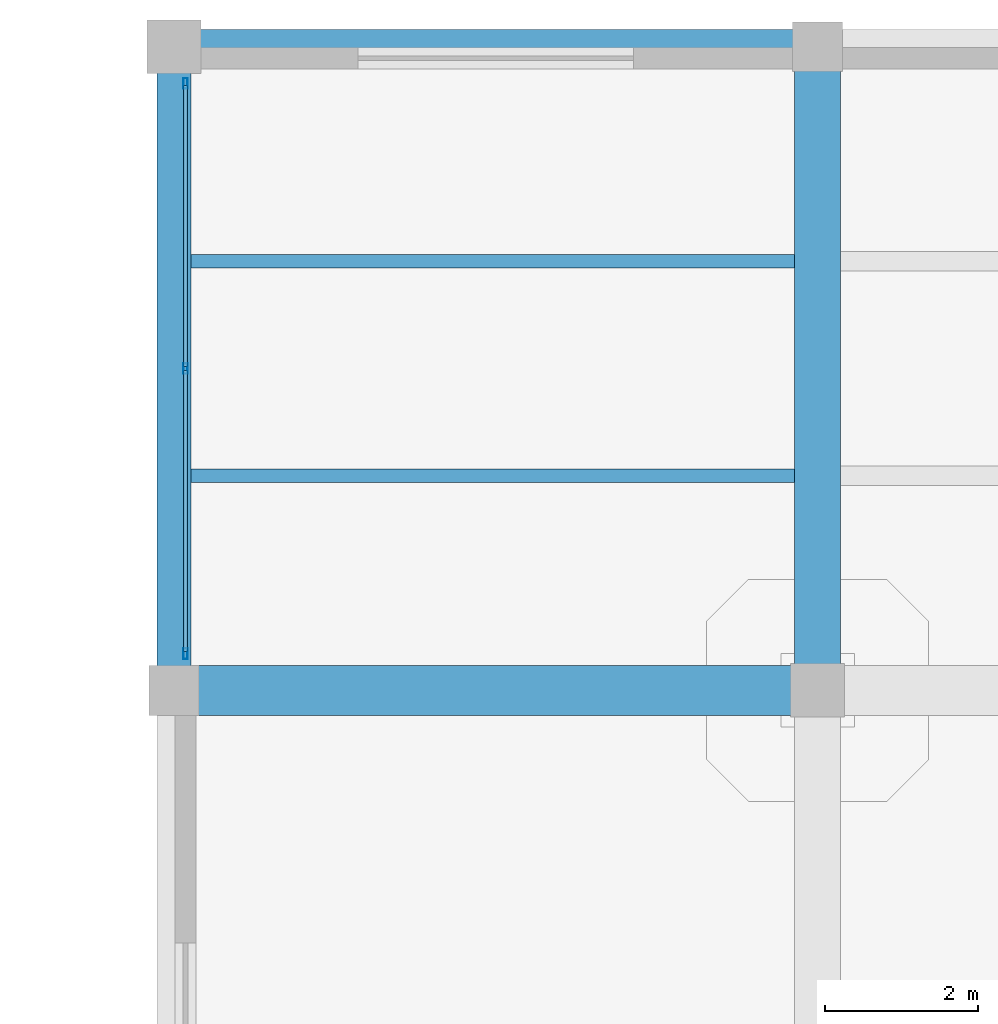
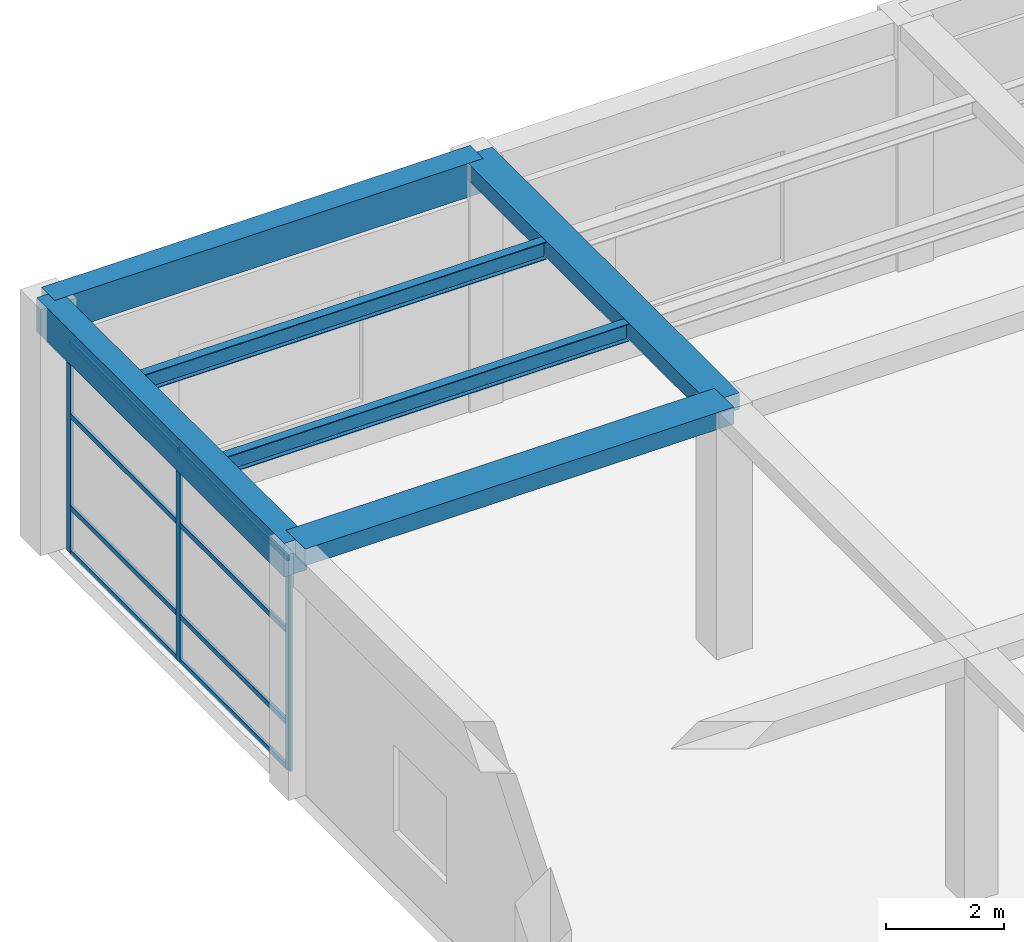
# One storey, part 23 of 65: 11 members, 6 beams, 1 element without a shape of its own.
"""IFC4 building model written with IfcOpenShell, lengths in metres."""

import ifcopenshell
import ifcopenshell.guid

model = None  # the IFC model being written
_history = None  # IfcOwnerHistory: only IFC2X3 demands one
_inside = {}  # id of a spatial element -> (the spatial element, [elements in it])
_under = {}  # id of a project, library or spatial element -> (it, [spatial elements below it])
_declared = {}  # id of a project -> (the project, [libraries it declares])
_typed = {}  # id of a type object -> (the type object, [elements of that type])
_made_of = {}  # id of a material, layer set ... -> (it, [elements and type objects made of it])


def new_model(schema):
    """Start an empty IFC model of exactly this schema.

    Asked for "IFC4X3", IfcOpenShell would pick the latest addendum, in which some entities
    have other attributes; the version numbers below select the first issue.
    IFC2X3 requires an IfcOwnerHistory on every rooted entity: one is made here for all.
    """
    global model, _history
    if schema == "IFC4X3":
        model = ifcopenshell.file(schema_version=(4, 3, 0, 0))
    else:
        model = ifcopenshell.file(schema=schema)
    _inside.clear()
    _under.clear()
    _declared.clear()
    _typed.clear()
    _made_of.clear()
    _history = None
    if model.schema == "IFC2X3":
        org = make("IfcOrganization", Name="unknown")
        user = make(
            "IfcPersonAndOrganization",
            ThePerson=make("IfcPerson", FamilyName="unknown"),
            TheOrganization=org,
        )
        app = make(
            "IfcApplication",
            ApplicationDeveloper=org,
            Version="unknown",
            ApplicationFullName="unknown",
            ApplicationIdentifier="unknown",
        )
        _history = make(
            "IfcOwnerHistory",
            OwningUser=user,
            OwningApplication=app,
            ChangeAction="ADDED",
            CreationDate=0,
        )
    return model


def make(cls, **values):
    """One entity of the class cls with the attributes given. An attribute that is None is left unset."""
    return model.create_entity(
        cls, **{name: value for name, value in values.items() if value is not None}
    )


def rooted(cls, **values):
    """An entity with a GlobalId (a new one), such as an element, a storey or a relation."""
    return make(cls, GlobalId=ifcopenshell.guid.new(), OwnerHistory=_history, **values)


def si_unit(unit_type, name, prefix=None):
    """IfcSIUnit, for example si_unit("LENGTHUNIT", "METRE", prefix="MILLI")."""
    return make("IfcSIUnit", UnitType=unit_type, Prefix=prefix, Name=name)


def assignment(units):
    """IfcUnitAssignment: the units of a project."""
    return None if units is None else make("IfcUnitAssignment", Units=units)


def point(xyz):
    """IfcCartesianPoint."""
    return None if xyz is None else make("IfcCartesianPoint", Coordinates=xyz)


def direction(xyz):
    """IfcDirection."""
    return None if xyz is None else make("IfcDirection", DirectionRatios=xyz)


def frame(location, z_axis=None, x_axis=None):
    """IfcAxis2Placement3D, a coordinate frame: its origin and axes. An axis left out is left unset."""
    return make(
        "IfcAxis2Placement3D",
        Location=point(location),
        Axis=direction(z_axis),
        RefDirection=direction(x_axis),
    )


def frame_2d(location, x_axis=None):
    """IfcAxis2Placement2D, a coordinate frame in the plane: its origin and x axis."""
    return make(
        "IfcAxis2Placement2D", Location=point(location), RefDirection=direction(x_axis)
    )


def origin():
    """The frame at (0, 0, 0) with its axes left unset."""
    return frame((0.0, 0.0, 0.0))


def origin_2d():
    """The frame at (0, 0) in the plane with its x axis left unset."""
    return frame_2d((0.0, 0.0))


def place(relative_to, where):
    """IfcLocalPlacement: puts the frame where relative to a parent placement (None: the world)."""
    return make(
        "IfcLocalPlacement", PlacementRelTo=relative_to, RelativePlacement=where
    )


def context(
    kind, dimensions, precision=None, world=None, true_north=None, identifier=None
):
    """IfcGeometricRepresentationContext, for example the 3D "Model" context."""
    return make(
        "IfcGeometricRepresentationContext",
        ContextIdentifier=identifier,
        ContextType=kind,
        CoordinateSpaceDimension=dimensions,
        Precision=precision,
        WorldCoordinateSystem=world,
        TrueNorth=true_north,
    )


def subcontext(parent, identifier, kind, view, scale=None):
    """IfcGeometricRepresentationSubContext, for example "Body" below "Model"."""
    return make(
        "IfcGeometricRepresentationSubContext",
        ContextIdentifier=identifier,
        ContextType=kind,
        ParentContext=parent,
        TargetScale=scale,
        TargetView=view,
    )


def project(units=None, contexts=None):
    """IfcProject with its units and contexts."""
    return rooted(
        "IfcProject",
        Name="project",
        RepresentationContexts=contexts,
        UnitsInContext=assignment(units),
    )


def spatial(cls, under=None, at=None, **own):
    """A site, building, storey or space (cls), placed at a placement, below another one or the project."""
    s = rooted(cls, ObjectPlacement=at, **own)
    if under is not None:
        _under.setdefault(under.id(), (under, []))[1].append(s)
    return s


def profile(cls, at=None, kind="AREA", **sizes):
    """A parametric profile (cls). Its sizes go by their IFC names, for example OverallWidth=200.0."""
    return make(cls, ProfileType=kind, Position=at, **sizes)


def rectangle(**sizes):
    """IfcRectangleProfileDef."""
    return profile("IfcRectangleProfileDef", **sizes)


def hollow_rectangle(**sizes):
    """IfcRectangleHollowProfileDef."""
    return profile("IfcRectangleHollowProfileDef", **sizes)


def i_section(**sizes):
    """IfcIShapeProfileDef."""
    return profile("IfcIShapeProfileDef", **sizes)


def extrude(swept, where, along, depth):
    """IfcExtrudedAreaSolid: the profile swept, set in the frame where, extruded along a direction by depth."""
    return make(
        "IfcExtrudedAreaSolid",
        SweptArea=swept,
        Position=where,
        ExtrudedDirection=direction(along),
        Depth=depth,
    )


def shape(context_of_items, identifier, shape_type, items):
    """IfcShapeRepresentation: the items that make up one representation, for example the "Body"."""
    return make(
        "IfcShapeRepresentation",
        ContextOfItems=context_of_items,
        RepresentationIdentifier=identifier,
        RepresentationType=shape_type,
        Items=items,
    )


def material(Name=None, Category=None):
    """IfcMaterial."""
    return make("IfcMaterial", Name=Name, Category=Category)


def material_profile(
    of_material, cross_section, Name=None, Category=None, Priority=None
):
    """IfcMaterialProfile: a cross section and its material."""
    return make(
        "IfcMaterialProfile",
        Name=Name,
        Material=of_material,
        Profile=cross_section,
        Priority=Priority,
        Category=Category,
    )


def profile_set(profiles, Name=None, composite=None):
    """IfcMaterialProfileSet."""
    return make(
        "IfcMaterialProfileSet",
        Name=Name,
        MaterialProfiles=profiles,
        CompositeProfile=composite,
    )


def made_of(thing, what):
    """Note that an element or type object is made of a material, layer set ...; save() writes the relation."""
    if what is not None:
        _made_of.setdefault(what.id(), (what, []))[1].append(thing)
    return thing


def type_object(cls, material=None, **own):
    """A type object (cls), such as IfcWallType, which elements share."""
    return made_of(rooted(cls, **own), material)


def element(
    cls,
    number,
    at=None,
    inside=None,
    cuts=None,
    type_object=None,
    material=None,
    context=None,
    identifier="Body",
    shape_type=None,
    held_by="IfcProductDefinitionShape",
    body=None,
    shapes=None,
    **own,
):
    """One element of the class cls, such as IfcWall. Its Tag is "e" and its number.

    at: its placement. inside: the storey or other place that contains it. cuts: it is an
    opening in that element (IfcRelVoidsElement). A single representation is given by context,
    identifier, shape_type and body (its items); several are given by shapes. held_by: the class
    of the entity that holds the representations. save() writes the other relations.
    """
    e = rooted(cls, Tag="e%d" % number, ObjectPlacement=at, **own)
    if body is not None:
        shapes = [shape(context, identifier, shape_type, body)]
    if shapes is not None:
        e.Representation = make(held_by, Representations=shapes)
    if inside is not None:
        _inside.setdefault(inside.id(), (inside, []))[1].append(e)
    if cuts is not None:
        rooted(
            "IfcRelVoidsElement", RelatingBuildingElement=cuts, RelatedOpeningElement=e
        )
    if type_object is not None:
        _typed.setdefault(type_object.id(), (type_object, []))[1].append(e)
    return made_of(e, material)


def aggregate(whole, parts):
    """IfcRelAggregates: a whole, such as a stair, and the parts it consists of."""
    return rooted("IfcRelAggregates", RelatingObject=whole, RelatedObjects=parts)


def save(model, path):
    """Write the relations noted so far, then the file.

    IfcRelAggregates (storeys below a building ...), IfcRelContainedInSpatialStructure (elements
    in a storey), IfcRelDefinesByType, IfcRelAssociatesMaterial and IfcRelDeclares: one each for
    every whole, place, type object, material and project.
    """
    for whole, parts in _under.values():
        aggregate(whole, parts)
    for where, things in _inside.values():
        rooted(
            "IfcRelContainedInSpatialStructure",
            RelatedElements=things,
            RelatingStructure=where,
        )
    for kind, things in _typed.values():
        rooted("IfcRelDefinesByType", RelatedObjects=things, RelatingType=kind)
    for what, things in _made_of.values():
        rooted("IfcRelAssociatesMaterial", RelatedObjects=things, RelatingMaterial=what)
    for by, libraries in _declared.values():
        rooted("IfcRelDeclares", RelatingContext=by, RelatedDefinitions=libraries)
    model.write(path)


model = new_model("IFC4")

# Units and contexts
model_context = context("Model", 3, precision=1e-05, world=origin(), true_north=direction((0.0, 1.0)))
body_context = subcontext(model_context, "Body", "Model", "MODEL_VIEW")
ifc_project = project(units=[si_unit("LENGTHUNIT", "METRE"), si_unit("AREAUNIT", "SQUARE_METRE"), si_unit("VOLUMEUNIT", "CUBIC_METRE"), si_unit("PLANEANGLEUNIT", "RADIAN"), si_unit("MASSUNIT", "GRAM", prefix="KILO")], contexts=[model_context])

# Site, building, storey
site_placement = place(None, origin())
site = spatial("IfcSite", under=ifc_project, at=site_placement, CompositionType="ELEMENT")
building_placement = place(site_placement, origin())
building = spatial("IfcBuilding", under=site, at=building_placement, Name="Almacenes y Pasaje Nevantli", CompositionType="ELEMENT")
storey_placement = place(building_placement, frame((0.0, 0.0, 16.800048828125)))
storey = spatial("IfcBuildingStorey", under=building, at=storey_placement, Name="L04", CompositionType="ELEMENT", Elevation=16.800048828125)

# Beams
ifc_material_1 = material(Name="Concrete C35/45", Category="concrete")
ifc_material_profile_1 = material_profile(ifc_material_1, rectangle(XDim=0.449951171875, YDim=0.699951171875, at=origin_2d()), Name="RC-BM-450x700")
ifc_profile_set_1 = profile_set([ifc_material_profile_1], Name="Concrete C35/45")
beam_type_1 = type_object("IfcBeamType", Name="BM-RC-450x700", PredefinedType="SPANDREL", material=ifc_profile_set_1)
beam_1_placement = place(storey_placement, frame((0.0, 117.60009765625, 4.75), z_axis=(1.0, 0.0, 0.0), x_axis=(0.0, 1.0, 0.0)))
element("IfcBeam", 1, at=beam_1_placement, inside=storey, type_object=beam_type_1, Name="L04 East-West Reinforced Concrete Beam #2973", PredefinedType="SPANDREL", context=body_context, shape_type="SweptSolid", body=[
    extrude(rectangle(XDim=0.449951171875, YDim=0.699951171875, at=origin_2d()), origin(), (0.0, 0.0, 1.0), 8.39990234375),
])
beam_2_placement = place(storey_placement, frame((0.0, 109.199951171875, 4.75), z_axis=(0.0, 1.0, 0.0), x_axis=(-1.0, 0.0, 0.0)))
element("IfcBeam", 2, at=beam_2_placement, inside=storey, type_object=beam_type_1, Name="L04 North-South Reinforced Concrete Beam #3003", PredefinedType="SPANDREL", context=body_context, shape_type="SweptSolid", body=[
    extrude(rectangle(XDim=0.449951171875, YDim=0.699951171875, at=origin_2d()), origin(), (0.0, 0.0, 1.0), 8.400146484375),
])
ifc_material_2 = material(Name="Concrete C35/45", Category="concrete")
ifc_material_profile_2 = material_profile(ifc_material_2, rectangle(XDim=0.60009765625, YDim=0.340087890625, at=origin_2d()), Name="RC-BM-600x340")
ifc_profile_set_2 = profile_set([ifc_material_profile_2], Name="Concrete C35/45")
beam_type_2 = type_object("IfcBeamType", Name="BM-RC-600x340", PredefinedType="BEAM", material=ifc_profile_set_2)
beam_3_placement = place(storey_placement, frame((8.39990234375, 109.199951171875, 4.929931640625), z_axis=(0.0, 1.0, 0.0), x_axis=(-1.0, 0.0, 0.0)))
element("IfcBeam", 3, at=beam_3_placement, inside=storey, type_object=beam_type_2, Name="L04 North-South Reinforced Concrete Beam #3014", PredefinedType="BEAM", context=body_context, shape_type="SweptSolid", body=[
    extrude(rectangle(XDim=0.60009765625, YDim=0.340087890625, at=origin_2d()), origin(), (0.0, 0.0, 1.0), 8.400146484375),
])
ifc_material_3 = material(Name="Concrete C35/45", Category="concrete")
ifc_material_profile_3 = material_profile(ifc_material_3, rectangle(XDim=0.64990234375, YDim=0.35009765625, at=origin_2d()), Name="RC-BM-650x350")
ifc_profile_set_3 = profile_set([ifc_material_profile_3], Name="Concrete C35/45")
beam_type_3 = type_object("IfcBeamType", Name="BM-RC-650x350", PredefinedType="BEAM", material=ifc_profile_set_3)
beam_4_placement = place(storey_placement, frame((0.0, 109.199951171875, 4.925048828125), z_axis=(1.0, 0.0, 0.0), x_axis=(0.0, 1.0, 0.0)))
element("IfcBeam", 4, at=beam_4_placement, inside=storey, type_object=beam_type_3, Name="L04 East-West Reinforced Concrete Beam #2956", PredefinedType="BEAM", context=body_context, shape_type="SweptSolid", body=[
    extrude(rectangle(XDim=0.64990234375, YDim=0.35009765625, at=origin_2d()), origin(), (0.0, 0.0, 1.0), 8.39990234375),
])
ifc_material_4 = material(Name="Steel ASTM A992", Category="steel")
ifc_material_profile_4 = material_profile(ifc_material_4, i_section(OverallWidth=0.173095703125, OverallDepth=0.364013671875, WebThickness=0.009033203125, FlangeThickness=0.015625, at=origin_2d()), Name="IR 356x67.0")
ifc_profile_set_4 = profile_set([ifc_material_profile_4], Name="Steel ASTM A992")
beam_type_4 = type_object("IfcBeamType", Name="BM-STL-IR-356x67p0", PredefinedType="JOIST", material=ifc_profile_set_4)
for number, where, z_axis, x_axis, name in (
    (5, (0.22509765625, 112.0, 4.909912109375), (1.0, 0.0, 0.0), (0.0, 1.0, 0.0), "L04 Secondary Steel Floor Joist #1015"),
    (6, (0.22509765625, 114.800048828125, 4.909912109375), (1.0, 0.0, 0.0), (0.0, 1.0, 0.0), "L04 Secondary Steel Floor Joist #1016"),
):
    element("IfcBeam", number, at=place(storey_placement, frame(where, z_axis=z_axis, x_axis=x_axis)), inside=storey, type_object=beam_type_4, Name=name, PredefinedType="JOIST", context=body_context, shape_type="SweptSolid", body=[
        extrude(i_section(OverallWidth=0.173095703125, OverallDepth=0.364013671875, WebThickness=0.009033203125, FlangeThickness=0.015625, at=origin_2d()), origin(), (0.0, 0.0, 1.0), 7.875),
    ])

# Curtain wall, members
ifc_material_5 = material(Name="Thermally Broken Aluminium and Low-E Glass", Category="aluminium")
curtain_wall_type = type_object("IfcCurtainWallType", Name="CW-UNIT-PODIUM", PredefinedType="USERDEFINED", material=ifc_material_5)
curtain_wall_placement = place(storey_placement, origin())
curtain_wall = element("IfcCurtainWall", 7, at=curtain_wall_placement, inside=storey, type_object=curtain_wall_type, Name="L04 West Avenue Unitized Curtain Wall Bay 14", ObjectType="UNITIZED CURTAIN WALL", PredefinedType="USERDEFINED")
ifc_material_6 = material(Name="Thermally Broken Anodized Aluminium", Category="aluminium")
ifc_material_profile_5 = material_profile(ifc_material_6, hollow_rectangle(XDim=0.054931640625, YDim=0.139892578125, WallThickness=0.00341796875, at=origin_2d()), Name="ALU-MUL-55x140")
ifc_profile_set_5 = profile_set([ifc_material_profile_5], Name="Thermally Broken Anodized Aluminium")
member_type_1 = type_object("IfcMemberType", Name="CW-MUL-160", PredefinedType="MULLION", material=ifc_profile_set_5)
member_1_placement = place(storey_placement, frame((0.14990234375, 109.677490234375, 0.0), z_axis=(0.0, 0.0, 1.0), x_axis=(-1.0, 0.0, 0.0)))
member_1 = element("IfcMember", 8, at=member_1_placement, type_object=member_type_1, Name="CW-L04-078 mullion 1", PredefinedType="MULLION", context=body_context, shape_type="SweptSolid", body=[
    extrude(hollow_rectangle(XDim=0.054931640625, YDim=0.139892578125, WallThickness=0.00341796875, at=origin_2d()), origin(), (0.0, 0.0, 1.0), 4.3798828125),
])
member_2_placement = place(storey_placement, frame((0.14990234375, 113.39990234375, 0.0), z_axis=(0.0, 0.0, 1.0), x_axis=(-1.0, 0.0, 0.0)))
member_2 = element("IfcMember", 9, at=member_2_placement, type_object=member_type_1, Name="CW-L04-078 mullion 2", PredefinedType="MULLION", context=body_context, shape_type="SweptSolid", body=[
    extrude(hollow_rectangle(XDim=0.054931640625, YDim=0.139892578125, WallThickness=0.00341796875, at=origin_2d()), origin(), (0.0, 0.0, 1.0), 4.3798828125),
])
member_3_placement = place(storey_placement, frame((0.14990234375, 117.12255859375, 0.0), z_axis=(0.0, 0.0, 1.0), x_axis=(-1.0, 0.0, 0.0)))
member_3 = element("IfcMember", 10, at=member_3_placement, type_object=member_type_1, Name="CW-L04-078 mullion 3", PredefinedType="MULLION", context=body_context, shape_type="SweptSolid", body=[
    extrude(hollow_rectangle(XDim=0.054931640625, YDim=0.139892578125, WallThickness=0.00341796875, at=origin_2d()), origin(), (0.0, 0.0, 1.0), 4.3798828125),
])
ifc_material_7 = material(Name="Thermally Broken Anodized Aluminium", Category="aluminium")
ifc_material_profile_6 = material_profile(ifc_material_7, hollow_rectangle(XDim=0.054931640625, YDim=0.10498046875, WallThickness=0.003173828125, at=origin_2d()), Name="ALU-TRN-55x105")
ifc_profile_set_6 = profile_set([ifc_material_profile_6], Name="Thermally Broken Anodized Aluminium")
member_type_2 = type_object("IfcMemberType", Name="CW-TRN-120", PredefinedType="USERDEFINED", material=ifc_profile_set_6)
member_4_placement = place(storey_placement, frame((0.14990234375, 109.705078125, 0.02734375), z_axis=(0.0, 1.0, 0.0), x_axis=(-1.0, 0.0, 0.0)))
member_4 = element("IfcMember", 11, at=member_4_placement, type_object=member_type_2, Name="CW-L04-078 transom 1.1", ObjectType="TRANSOM", PredefinedType="USERDEFINED", context=body_context, shape_type="SweptSolid", body=[
    extrude(hollow_rectangle(XDim=0.054931640625, YDim=0.10498046875, WallThickness=0.003173828125, at=origin_2d()), origin(), (0.0, 0.0, 1.0), 3.66748046875),
])
member_5_placement = place(storey_placement, frame((0.14990234375, 109.705078125, 0.949951171875), z_axis=(0.0, 1.0, 0.0), x_axis=(-1.0, 0.0, 0.0)))
member_5 = element("IfcMember", 12, at=member_5_placement, type_object=member_type_2, Name="CW-L04-078 transom 1.2", ObjectType="TRANSOM", PredefinedType="USERDEFINED", context=body_context, shape_type="SweptSolid", body=[
    extrude(hollow_rectangle(XDim=0.054931640625, YDim=0.10498046875, WallThickness=0.003173828125, at=origin_2d()), origin(), (0.0, 0.0, 1.0), 3.66748046875),
])
member_6_placement = place(storey_placement, frame((0.14990234375, 109.705078125, 2.849853515625), z_axis=(0.0, 1.0, 0.0), x_axis=(-1.0, 0.0, 0.0)))
member_6 = element("IfcMember", 13, at=member_6_placement, type_object=member_type_2, Name="CW-L04-078 transom 1.3", ObjectType="TRANSOM", PredefinedType="USERDEFINED", context=body_context, shape_type="SweptSolid", body=[
    extrude(hollow_rectangle(XDim=0.054931640625, YDim=0.10498046875, WallThickness=0.003173828125, at=origin_2d()), origin(), (0.0, 0.0, 1.0), 3.66748046875),
])
member_7_placement = place(storey_placement, frame((0.14990234375, 109.705078125, 4.3525390625), z_axis=(0.0, 1.0, 0.0), x_axis=(-1.0, 0.0, 0.0)))
member_7 = element("IfcMember", 14, at=member_7_placement, type_object=member_type_2, Name="CW-L04-078 transom 1.4", ObjectType="TRANSOM", PredefinedType="USERDEFINED", context=body_context, shape_type="SweptSolid", body=[
    extrude(hollow_rectangle(XDim=0.054931640625, YDim=0.10498046875, WallThickness=0.003173828125, at=origin_2d()), origin(), (0.0, 0.0, 1.0), 3.66748046875),
])
member_8_placement = place(storey_placement, frame((0.14990234375, 113.427490234375, 0.02734375), z_axis=(0.0, 1.0, 0.0), x_axis=(-1.0, 0.0, 0.0)))
member_8 = element("IfcMember", 15, at=member_8_placement, type_object=member_type_2, Name="CW-L04-078 transom 2.1", ObjectType="TRANSOM", PredefinedType="USERDEFINED", context=body_context, shape_type="SweptSolid", body=[
    extrude(hollow_rectangle(XDim=0.054931640625, YDim=0.10498046875, WallThickness=0.003173828125, at=origin_2d()), origin(), (0.0, 0.0, 1.0), 3.66748046875),
])
member_9_placement = place(storey_placement, frame((0.14990234375, 113.427490234375, 0.949951171875), z_axis=(0.0, 1.0, 0.0), x_axis=(-1.0, 0.0, 0.0)))
member_9 = element("IfcMember", 16, at=member_9_placement, type_object=member_type_2, Name="CW-L04-078 transom 2.2", ObjectType="TRANSOM", PredefinedType="USERDEFINED", context=body_context, shape_type="SweptSolid", body=[
    extrude(hollow_rectangle(XDim=0.054931640625, YDim=0.10498046875, WallThickness=0.003173828125, at=origin_2d()), origin(), (0.0, 0.0, 1.0), 3.66748046875),
])
member_10_placement = place(storey_placement, frame((0.14990234375, 113.427490234375, 2.849853515625), z_axis=(0.0, 1.0, 0.0), x_axis=(-1.0, 0.0, 0.0)))
member_10 = element("IfcMember", 17, at=member_10_placement, type_object=member_type_2, Name="CW-L04-078 transom 2.3", ObjectType="TRANSOM", PredefinedType="USERDEFINED", context=body_context, shape_type="SweptSolid", body=[
    extrude(hollow_rectangle(XDim=0.054931640625, YDim=0.10498046875, WallThickness=0.003173828125, at=origin_2d()), origin(), (0.0, 0.0, 1.0), 3.66748046875),
])
member_11_placement = place(storey_placement, frame((0.14990234375, 113.427490234375, 4.3525390625), z_axis=(0.0, 1.0, 0.0), x_axis=(-1.0, 0.0, 0.0)))
member_11 = element("IfcMember", 18, at=member_11_placement, type_object=member_type_2, Name="CW-L04-078 transom 2.4", ObjectType="TRANSOM", PredefinedType="USERDEFINED", context=body_context, shape_type="SweptSolid", body=[
    extrude(hollow_rectangle(XDim=0.054931640625, YDim=0.10498046875, WallThickness=0.003173828125, at=origin_2d()), origin(), (0.0, 0.0, 1.0), 3.66748046875),
])
aggregate(curtain_wall, [member_1, member_2, member_3, member_4, member_5, member_6, member_7, member_8, member_9, member_10, member_11])

save(model, "model.ifc")
